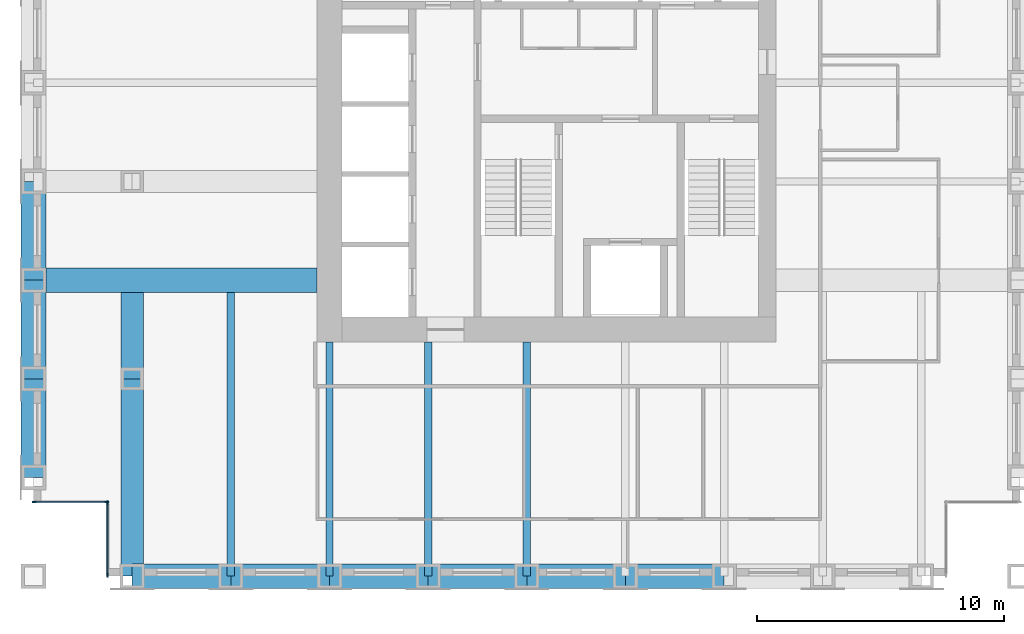
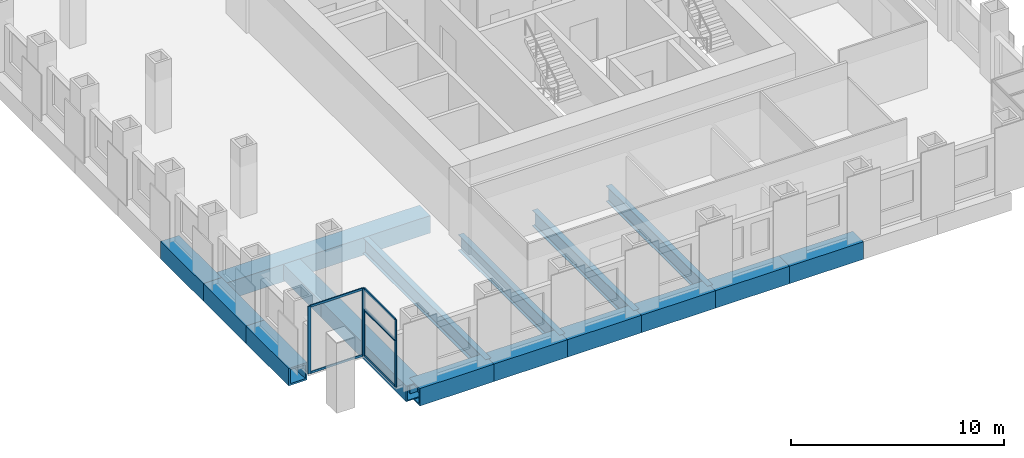
# One storey, part 2 of 13: 16 beams, 12 members, 3 elements without a shape of their own.
"""IFC4 building model written with IfcOpenShell, lengths in metres."""

from ifc_helpers import new_model, si_unit, direction, frame, origin, origin_2d, place, context, subcontext, project, spatial, rectangle, hollow_rectangle, i_section, extrude, material, material_profile, profile_set, type_object, element, aggregate, save


model = new_model("IFC4")

# Units and contexts
model_context = context("Model", 3, precision=1e-05, world=origin(), true_north=direction((0.0, 1.0)))
body_context = subcontext(model_context, "Body", "Model", "MODEL_VIEW")
ifc_project = project(units=[si_unit("LENGTHUNIT", "METRE"), si_unit("AREAUNIT", "SQUARE_METRE"), si_unit("VOLUMEUNIT", "CUBIC_METRE"), si_unit("PLANEANGLEUNIT", "RADIAN"), si_unit("MASSUNIT", "GRAM", prefix="KILO")], contexts=[model_context])

# Site, building, storey
site_placement = place(None, origin())
site = spatial("IfcSite", under=ifc_project, at=site_placement, CompositionType="ELEMENT")
building_placement = place(site_placement, origin())
building = spatial("IfcBuilding", under=site, at=building_placement, Name="Rimbunsela Tower", CompositionType="ELEMENT")
storey_placement = place(building_placement, frame((0.0, 0.0, 199.800048828125)))
storey = spatial("IfcBuildingStorey", under=building, at=storey_placement, Name="L48", CompositionType="ELEMENT", Elevation=199.800048828125)

# Beams
ifc_material_1 = material(Name="Steel BJ 55 (fy 410 MPa)", Category="steel")
ifc_material_profile_1 = material_profile(ifc_material_1, hollow_rectangle(XDim=1.0, YDim=1.0, WallThickness=0.10009765625, at=origin_2d()), Name="BOX 1000x1000x100")
ifc_profile_set_1 = profile_set([ifc_material_profile_1], Name="Steel BJ 55 (fy 410 MPa)")
beam_type_1 = type_object("IfcBeamType", Name="Beam BOX 1000x1000x100", PredefinedType="BEAM", material=ifc_profile_set_1)
for number, where, z_axis, x_axis, name in (
    (1, (6.0, 12.0, -0.650146484375), (0.0, 1.0, 0.0), (-1.0, 0.0, 0.0), "Beam B3 L48"),
    (2, (6.0, 16.0, -0.650146484375), (0.0, 1.0, 0.0), (-1.0, 0.0, 0.0), "Beam B3 L48"),
    (3, (6.0, 20.0, -0.650146484375), (0.0, 1.0, 0.0), (-1.0, 0.0, 0.0), "Beam B3 L48"),
):
    element("IfcBeam", number, at=place(storey_placement, frame(where, z_axis=z_axis, x_axis=x_axis)), inside=storey, type_object=beam_type_1, Name=name, PredefinedType="BEAM", context=body_context, shape_type="SweptSolid", body=[
        extrude(hollow_rectangle(XDim=1.0, YDim=1.0, WallThickness=0.10009765625, at=origin_2d()), origin(), (0.0, 0.0, 1.0), 4.0),
    ])
beam_1_placement = place(storey_placement, frame((6.0, 20.0, -0.650146484375), z_axis=(1.0, 0.0, 0.0), x_axis=(0.0, 1.0, 0.0)))
element("IfcBeam", 4, at=beam_1_placement, inside=storey, type_object=beam_type_1, Name="Beam B3 L48", PredefinedType="BEAM", context=body_context, shape_type="SweptSolid", body=[
    extrude(hollow_rectangle(XDim=1.0, YDim=1.0, WallThickness=0.10009765625, at=origin_2d()), origin(), (0.0, 0.0, 1.0), 11.5),
])
for number, where, z_axis, x_axis, name in (
    (5, (10.0, 8.0, -0.650146484375), (1.0, 0.0, 0.0), (0.0, 1.0, 0.0), "Beam B3 L48"),
    (6, (14.0, 8.0, -0.650146484375), (1.0, 0.0, 0.0), (0.0, 1.0, 0.0), "Beam B3 L48"),
    (7, (18.0, 8.0, -0.650146484375), (1.0, 0.0, 0.0), (0.0, 1.0, 0.0), "Beam B3 L48"),
    (8, (22.0, 8.0, -0.650146484375), (1.0, 0.0, 0.0), (0.0, 1.0, 0.0), "Beam B3 L48"),
    (9, (26.0, 8.0, -0.650146484375), (1.0, 0.0, 0.0), (0.0, 1.0, 0.0), "Beam B3 L48"),
    (10, (30.0, 8.0, -0.650146484375), (1.0, 0.0, 0.0), (0.0, 1.0, 0.0), "Beam B3 L48"),
):
    element("IfcBeam", number, at=place(storey_placement, frame(where, z_axis=z_axis, x_axis=x_axis)), inside=storey, type_object=beam_type_1, Name=name, PredefinedType="BEAM", context=body_context, shape_type="SweptSolid", body=[
        extrude(hollow_rectangle(XDim=1.0, YDim=1.0, WallThickness=0.10009765625, at=origin_2d()), origin(), (0.0, 0.0, 1.0), 4.0),
    ])
ifc_material_2 = material(Name="Steel BJ 55 (fy 410 MPa)", Category="steel")
ifc_material_profile_2 = material_profile(ifc_material_2, hollow_rectangle(XDim=0.89990234375, YDim=0.89990234375, WallThickness=0.06005859375, at=origin_2d()), Name="BOX 900x900x60")
ifc_profile_set_2 = profile_set([ifc_material_profile_2], Name="Steel BJ 55 (fy 410 MPa)")
beam_type_2 = type_object("IfcBeamType", Name="Beam BOX 900x900x60", PredefinedType="BEAM", material=ifc_profile_set_2)
beam_2_placement = place(storey_placement, frame((10.0, 8.0, -0.60009765625), z_axis=(0.0, 1.0, 0.0), x_axis=(-1.0, 0.0, 0.0)))
element("IfcBeam", 11, at=beam_2_placement, inside=storey, type_object=beam_type_2, Name="Beam B1 L48", PredefinedType="BEAM", context=body_context, shape_type="SweptSolid", body=[
    extrude(hollow_rectangle(XDim=0.89990234375, YDim=0.89990234375, WallThickness=0.06005859375, at=origin_2d()), origin(), (0.0, 0.0, 1.0), 8.0),
])
beam_3_placement = place(storey_placement, frame((10.0, 16.0, -0.60009765625), z_axis=(0.0, 1.0, 0.0), x_axis=(-1.0, 0.0, 0.0)))
element("IfcBeam", 12, at=beam_3_placement, inside=storey, type_object=beam_type_2, Name="Beam B1 L48", PredefinedType="BEAM", context=body_context, shape_type="SweptSolid", body=[
    extrude(hollow_rectangle(XDim=0.89990234375, YDim=0.89990234375, WallThickness=0.06005859375, at=origin_2d()), origin(), (0.0, 0.0, 1.0), 3.5),
])
ifc_material_3 = material(Name="Steel BJ 55 (fy 410 MPa)", Category="steel")
ifc_material_profile_3 = material_profile(ifc_material_3, i_section(OverallWidth=0.300048828125, OverallDepth=0.89990234375, WebThickness=0.01611328125, FlangeThickness=0.028076171875, FilletRadius=0.028076171875, at=origin_2d()), Name="H 900x300x16x28")
ifc_profile_set_3 = profile_set([ifc_material_profile_3], Name="Steel BJ 55 (fy 410 MPa)")
beam_type_3 = type_object("IfcBeamType", Name="Beam H 900x300x16x28", PredefinedType="BEAM", material=ifc_profile_set_3)
beam_4_placement = place(storey_placement, frame((14.0, 8.0, -0.60009765625), z_axis=(0.0, 1.0, 0.0), x_axis=(-1.0, 0.0, 0.0)))
element("IfcBeam", 13, at=beam_4_placement, inside=storey, type_object=beam_type_3, Name="Beam B2 L48", PredefinedType="BEAM", context=body_context, shape_type="SweptSolid", body=[
    extrude(i_section(OverallWidth=0.300048828125, OverallDepth=0.89990234375, WebThickness=0.01611328125, FlangeThickness=0.028076171875, FilletRadius=0.028076171875, at=origin_2d()), origin(), (0.0, 0.0, 1.0), 11.5),
])
for number, where, z_axis, x_axis, name in (
    (14, (18.0, 8.0, -0.60009765625), (0.0, 1.0, 0.0), (-1.0, 0.0, 0.0), "Beam B2 L48"),
    (15, (22.0, 8.0, -0.60009765625), (0.0, 1.0, 0.0), (-1.0, 0.0, 0.0), "Beam B2 L48"),
    (16, (26.0, 8.0, -0.60009765625), (0.0, 1.0, 0.0), (-1.0, 0.0, 0.0), "Beam B2 L48"),
):
    element("IfcBeam", number, at=place(storey_placement, frame(where, z_axis=z_axis, x_axis=x_axis)), inside=storey, type_object=beam_type_3, Name=name, PredefinedType="BEAM", context=body_context, shape_type="SweptSolid", body=[
        extrude(i_section(OverallWidth=0.300048828125, OverallDepth=0.89990234375, WebThickness=0.01611328125, FlangeThickness=0.028076171875, FilletRadius=0.028076171875, at=origin_2d()), origin(), (0.0, 0.0, 1.0), 9.5),
    ])

# Curtain wall, members
ifc_material_4 = material(Name="Aluminium curtain wall", Category="aluminium")
curtain_wall_type_1 = type_object("IfcCurtainWallType", Name="Corner glazing", PredefinedType="USERDEFINED", material=ifc_material_4)
curtain_wall_1_placement = place(storey_placement, origin())
curtain_wall_1 = element("IfcCurtainWall", 17, at=curtain_wall_1_placement, inside=storey, type_object=curtain_wall_type_1, Name="Corner glazing L48", ObjectType="CORNER GLAZING", PredefinedType="USERDEFINED")
ifc_material_5 = material(Name="Aluminium mullion", Category="aluminium")
ifc_material_profile_4 = material_profile(ifc_material_5, rectangle(XDim=0.06005859375, YDim=0.159912109375, at=origin_2d()), Name="Mullion 60x160")
ifc_profile_set_4 = profile_set([ifc_material_profile_4], Name="Aluminium mullion")
member_type_1 = type_object("IfcMemberType", Name="Curtain wall mullion 60x160", PredefinedType="MULLION", material=ifc_profile_set_4)
member_1_placement = place(storey_placement, frame((6.030029296875, 11.0, 0.0), z_axis=(0.0, 0.0, 1.0), x_axis=(0.0, 1.0, 0.0)))
member_1 = element("IfcMember", 18, at=member_1_placement, type_object=member_type_1, Name="CW5 mullion 1", PredefinedType="MULLION", context=body_context, shape_type="SweptSolid", body=[
    extrude(rectangle(XDim=0.06005859375, YDim=0.159912109375, at=origin_2d()), origin(), (0.0, 0.0, 1.0), 3.849853515625),
])
member_2_placement = place(storey_placement, frame((8.969970703125, 11.0, 0.0), z_axis=(0.0, 0.0, 1.0), x_axis=(0.0, 1.0, 0.0)))
member_2 = element("IfcMember", 19, at=member_2_placement, type_object=member_type_1, Name="CW5 mullion 2", PredefinedType="MULLION", context=body_context, shape_type="SweptSolid", body=[
    extrude(rectangle(XDim=0.06005859375, YDim=0.159912109375, at=origin_2d()), origin(), (0.0, 0.0, 1.0), 3.849853515625),
])

curtain_wall_2_placement = place(storey_placement, origin())
curtain_wall_2 = element("IfcCurtainWall", 20, at=curtain_wall_2_placement, inside=storey, type_object=curtain_wall_type_1, Name="Corner glazing L48", ObjectType="CORNER GLAZING", PredefinedType="USERDEFINED")
member_3_placement = place(storey_placement, frame((9.0, 10.969970703125, 0.0), z_axis=(0.0, 0.0, 1.0), x_axis=(1.0, 0.0, 0.0)))
member_3 = element("IfcMember", 21, at=member_3_placement, type_object=member_type_1, Name="CW5 mullion 1", PredefinedType="MULLION", context=body_context, shape_type="SweptSolid", body=[
    extrude(rectangle(XDim=0.06005859375, YDim=0.159912109375, at=origin_2d()), origin(), (0.0, 0.0, 1.0), 2.64990234375),
])
member_4_placement = place(storey_placement, frame((9.0, 8.030029296875, 0.0), z_axis=(0.0, 0.0, 1.0), x_axis=(1.0, 0.0, 0.0)))
member_4 = element("IfcMember", 22, at=member_4_placement, type_object=member_type_1, Name="CW5 mullion 2", PredefinedType="MULLION", context=body_context, shape_type="SweptSolid", body=[
    extrude(rectangle(XDim=0.06005859375, YDim=0.159912109375, at=origin_2d()), origin(), (0.0, 0.0, 1.0), 2.64990234375),
])

ifc_material_6 = material(Name="Aluminium curtain wall", Category="aluminium")
curtain_wall_type_2 = type_object("IfcCurtainWallType", Name="Spandrel wall", PredefinedType="USERDEFINED", material=ifc_material_6)
curtain_wall_3_placement = place(storey_placement, origin())
curtain_wall_3 = element("IfcCurtainWall", 23, at=curtain_wall_3_placement, inside=storey, type_object=curtain_wall_type_2, Name="Spandrel wall L48", ObjectType="SPANDREL WALL", PredefinedType="USERDEFINED")
member_5_placement = place(storey_placement, frame((9.0, 10.969970703125, 2.64990234375), z_axis=(0.0, 0.0, 1.0), x_axis=(1.0, 0.0, 0.0)))
member_5 = element("IfcMember", 24, at=member_5_placement, type_object=member_type_1, Name="CW7 mullion 1", PredefinedType="MULLION", context=body_context, shape_type="SweptSolid", body=[
    extrude(rectangle(XDim=0.06005859375, YDim=0.159912109375, at=origin_2d()), origin(), (0.0, 0.0, 1.0), 1.199951171875),
])
member_6_placement = place(storey_placement, frame((9.0, 8.030029296875, 2.64990234375), z_axis=(0.0, 0.0, 1.0), x_axis=(1.0, 0.0, 0.0)))
member_6 = element("IfcMember", 25, at=member_6_placement, type_object=member_type_1, Name="CW7 mullion 2", PredefinedType="MULLION", context=body_context, shape_type="SweptSolid", body=[
    extrude(rectangle(XDim=0.06005859375, YDim=0.159912109375, at=origin_2d()), origin(), (0.0, 0.0, 1.0), 1.199951171875),
])

# Member
ifc_material_7 = material(Name="Aluminium transom", Category="aluminium")
ifc_material_profile_5 = material_profile(ifc_material_7, rectangle(XDim=0.06005859375, YDim=0.1201171875, at=origin_2d()), Name="Transom 60x120")
ifc_profile_set_5 = profile_set([ifc_material_profile_5], Name="Aluminium transom")
member_type_2 = type_object("IfcMemberType", Name="Curtain wall transom 60x120", PredefinedType="USERDEFINED", material=ifc_profile_set_5)
member_7_placement = place(storey_placement, frame((6.06005859375, 11.0, 0.030029296875), z_axis=(1.0, 0.0, 0.0), x_axis=(0.0, 1.0, 0.0)))
member_7 = element("IfcMember", 26, at=member_7_placement, type_object=member_type_2, Name="CW5 transom 1.1", ObjectType="TRANSOM", PredefinedType="USERDEFINED", context=body_context, shape_type="SweptSolid", body=[
    extrude(rectangle(XDim=0.06005859375, YDim=0.1201171875, at=origin_2d()), origin(), (0.0, 0.0, 1.0), 2.8798828125),
])

member_8_placement = place(storey_placement, frame((6.06005859375, 11.0, 3.820068359375), z_axis=(1.0, 0.0, 0.0), x_axis=(0.0, 1.0, 0.0)))
member_8 = element("IfcMember", 27, at=member_8_placement, type_object=member_type_2, Name="CW5 transom 1.2", ObjectType="TRANSOM", PredefinedType="USERDEFINED", context=body_context, shape_type="SweptSolid", body=[
    extrude(rectangle(XDim=0.06005859375, YDim=0.1201171875, at=origin_2d()), origin(), (0.0, 0.0, 1.0), 2.8798828125),
])

aggregate(curtain_wall_1, [member_1, member_2, member_7, member_8])

member_9_placement = place(storey_placement, frame((9.0, 10.93994140625, 0.030029296875), z_axis=(0.0, -1.0, 0.0), x_axis=(1.0, 0.0, 0.0)))
member_9 = element("IfcMember", 28, at=member_9_placement, type_object=member_type_2, Name="CW5 transom 1.1", ObjectType="TRANSOM", PredefinedType="USERDEFINED", context=body_context, shape_type="SweptSolid", body=[
    extrude(rectangle(XDim=0.06005859375, YDim=0.1201171875, at=origin_2d()), origin(), (0.0, 0.0, 1.0), 2.8798828125),
])

member_10_placement = place(storey_placement, frame((9.0, 10.93994140625, 2.619873046875), z_axis=(0.0, -1.0, 0.0), x_axis=(1.0, 0.0, 0.0)))
member_10 = element("IfcMember", 29, at=member_10_placement, type_object=member_type_2, Name="CW5 transom 1.2", ObjectType="TRANSOM", PredefinedType="USERDEFINED", context=body_context, shape_type="SweptSolid", body=[
    extrude(rectangle(XDim=0.06005859375, YDim=0.1201171875, at=origin_2d()), origin(), (0.0, 0.0, 1.0), 2.8798828125),
])

aggregate(curtain_wall_2, [member_3, member_4, member_9, member_10])

member_11_placement = place(storey_placement, frame((9.0, 10.93994140625, 2.679931640625), z_axis=(0.0, -1.0, 0.0), x_axis=(1.0, 0.0, 0.0)))
member_11 = element("IfcMember", 30, at=member_11_placement, type_object=member_type_2, Name="CW7 transom 1.1", ObjectType="TRANSOM", PredefinedType="USERDEFINED", context=body_context, shape_type="SweptSolid", body=[
    extrude(rectangle(XDim=0.06005859375, YDim=0.1201171875, at=origin_2d()), origin(), (0.0, 0.0, 1.0), 2.8798828125),
])

member_12_placement = place(storey_placement, frame((9.0, 10.93994140625, 3.820068359375), z_axis=(0.0, -1.0, 0.0), x_axis=(1.0, 0.0, 0.0)))
member_12 = element("IfcMember", 31, at=member_12_placement, type_object=member_type_2, Name="CW7 transom 1.2", ObjectType="TRANSOM", PredefinedType="USERDEFINED", context=body_context, shape_type="SweptSolid", body=[
    extrude(rectangle(XDim=0.06005859375, YDim=0.1201171875, at=origin_2d()), origin(), (0.0, 0.0, 1.0), 2.8798828125),
])

aggregate(curtain_wall_3, [member_5, member_6, member_11, member_12])

save(model, "model.ifc")
